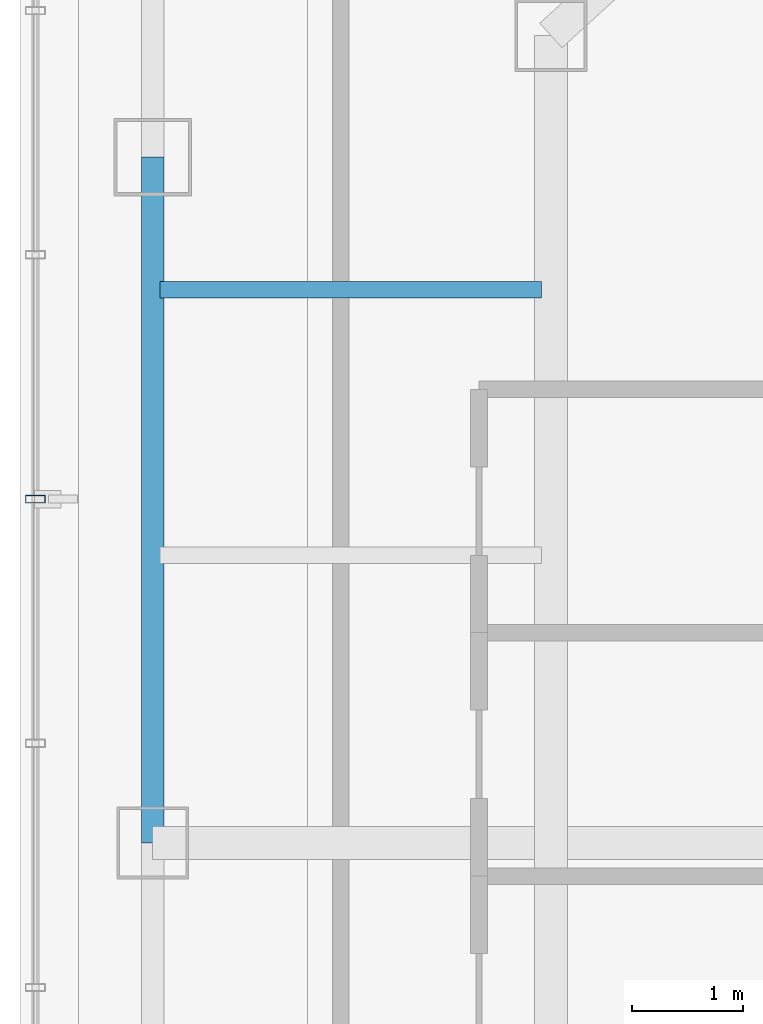
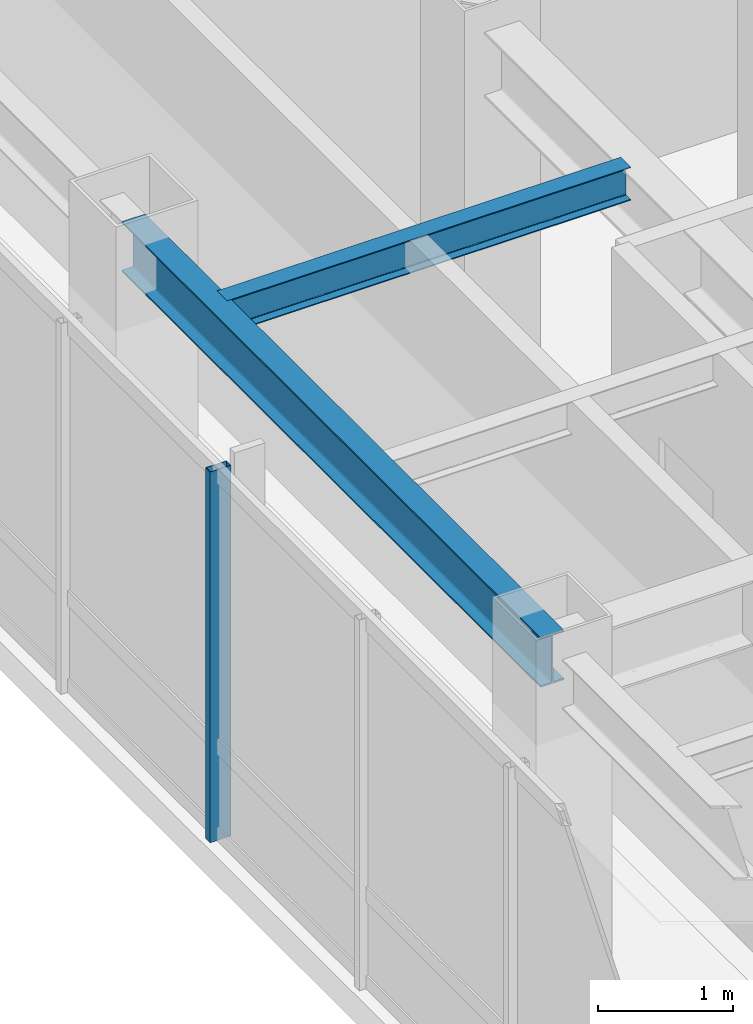
# One storey, part 8 of 25: 2 beams, 1 member, 1 element without a shape of its own.
"""IFC4 building model written with IfcOpenShell, lengths in metres."""

from ifc_helpers import new_model, si_unit, direction, frame, origin, origin_2d, place, context, subcontext, project, spatial, hollow_rectangle, i_section, extrude, material, layer, layer_set, material_profile, profile_set, type_object, element, aggregate, save


model = new_model("IFC4")

# Units and contexts
model_context = context("Model", 3, precision=1e-05, world=origin(), true_north=direction((0.0, 1.0)))
body_context = subcontext(model_context, "Body", "Model", "MODEL_VIEW")
ifc_project = project(units=[si_unit("LENGTHUNIT", "METRE"), si_unit("AREAUNIT", "SQUARE_METRE"), si_unit("VOLUMEUNIT", "CUBIC_METRE"), si_unit("PLANEANGLEUNIT", "RADIAN"), si_unit("MASSUNIT", "GRAM", prefix="KILO")], contexts=[model_context])

# Site, building, storey
site_placement = place(None, origin())
site = spatial("IfcSite", under=ifc_project, at=site_placement, CompositionType="ELEMENT")
building_placement = place(site_placement, origin())
building = spatial("IfcBuilding", under=site, at=building_placement, Name="Hatsunagi Terrace Concourse", CompositionType="ELEMENT")
storey_placement = place(building_placement, frame((0.0, 0.0, 220.35009765625)))
storey = spatial("IfcBuildingStorey", under=building, at=storey_placement, Name="L58", CompositionType="ELEMENT", Elevation=220.35009765625)

# Curtain wall, member
ifc_material_1 = material(Name="Anodised Aluminium Alloy 6063-T5", Category="aluminium")
ifc_layer = layer(ifc_material_1, 0.199951171875)
ifc_layer_set = layer_set([ifc_layer], Name="OfficeZone2_CW04")
curtain_wall_type = type_object("IfcCurtainWallType", Name="OfficeZone2_CW04", PredefinedType="NOTDEFINED", material=ifc_layer_set)
curtain_wall_placement = place(storey_placement, origin())
curtain_wall = element("IfcCurtainWall", 1, at=curtain_wall_placement, inside=storey, type_object=curtain_wall_type, Name="Unitised Curtain Wall CW-04 CW-L58-08", PredefinedType="NOTDEFINED")
ifc_material_2 = material(Name="Anodised Aluminium Alloy 6063-T5", Category="aluminium")
ifc_material_profile_1 = material_profile(ifc_material_2, hollow_rectangle(XDim=0.070068359375, YDim=0.179931640625, WallThickness=0.00390625, at=origin_2d()), Name="ALU-MUL-180x70x4")
ifc_profile_set_1 = profile_set([ifc_material_profile_1], Name="Anodised Aluminium Alloy 6063-T5")
member_type = type_object("IfcMemberType", Name="CurtainWallMullion_180x70", PredefinedType="MULLION", material=ifc_profile_set_1)
member_placement = place(storey_placement, frame((18.139892578125, 39.10791015625, 0.0), z_axis=(0.0, 0.0, 1.0), x_axis=(0.0, 1.0, 0.0)))
member = element("IfcMember", 2, at=member_placement, type_object=member_type, Name="Curtain Wall Mullion MUL-02", PredefinedType="MULLION", context=body_context, shape_type="SweptSolid", body=[
    extrude(hollow_rectangle(XDim=0.070068359375, YDim=0.179931640625, WallThickness=0.00390625, at=origin_2d()), origin(), (0.0, 0.0, 1.0), 3.349853515625),
])
aggregate(curtain_wall, [member])

# Beams
ifc_material_3 = material(Name="Steel SN490B", Category="steel")
ifc_material_profile_2 = material_profile(ifc_material_3, i_section(OverallWidth=0.14990234375, OverallDepth=0.300048828125, WebThickness=0.006591796875, FlangeThickness=0.009033203125, FilletRadius=0.010986328125, at=origin_2d()), Name="H-300x150x6.5x9")
ifc_profile_set_2 = profile_set([ifc_material_profile_2], Name="Steel SN490B")
beam_type_1 = type_object("IfcBeamType", Name="OfficeJoist_H_300x150", PredefinedType="JOIST", material=ifc_profile_set_2)
beam_1_placement = place(storey_placement, frame((19.264892578125, 41.0, 3.199951171875), z_axis=(1.0, 0.0, 0.0), x_axis=(0.0, 1.0, 0.0)))
element("IfcBeam", 3, at=beam_1_placement, inside=storey, type_object=beam_type_1, Name="Beam J-03 J-L58-W-19-410", PredefinedType="JOIST", context=body_context, shape_type="SweptSolid", body=[
    extrude(i_section(OverallWidth=0.14990234375, OverallDepth=0.300048828125, WebThickness=0.006591796875, FlangeThickness=0.009033203125, FilletRadius=0.010986328125, at=origin_2d()), origin(), (0.0, 0.0, 1.0), 3.4501953125),
])
ifc_material_4 = material(Name="Steel SN490B", Category="steel")
ifc_material_profile_3 = material_profile(ifc_material_4, i_section(OverallWidth=0.199951171875, OverallDepth=0.449951171875, WebThickness=0.009033203125, FlangeThickness=0.013916015625, FilletRadius=0.01611328125, at=origin_2d()), Name="H-450x200x9x14")
ifc_profile_set_3 = profile_set([ifc_material_profile_3], Name="Steel SN490B")
beam_type_2 = type_object("IfcBeamType", Name="PerimeterSpandrel_H_450x200", PredefinedType="SPANDREL", material=ifc_profile_set_3)
beam_2_placement = place(storey_placement, frame((19.199951171875, 36.0, 3.125), z_axis=(0.0, 1.0, 0.0), x_axis=(-1.0, 0.0, 0.0)))
element("IfcBeam", 4, at=beam_2_placement, inside=storey, type_object=beam_type_2, Name="Beam SP-02 BM-L58-NS-19-36", PredefinedType="SPANDREL", context=body_context, shape_type="SweptSolid", body=[
    extrude(i_section(OverallWidth=0.199951171875, OverallDepth=0.449951171875, WebThickness=0.009033203125, FlangeThickness=0.013916015625, FilletRadius=0.01611328125, at=origin_2d()), origin(), (0.0, 0.0, 1.0), 6.199951171875),
])

save(model, "model.ifc")
